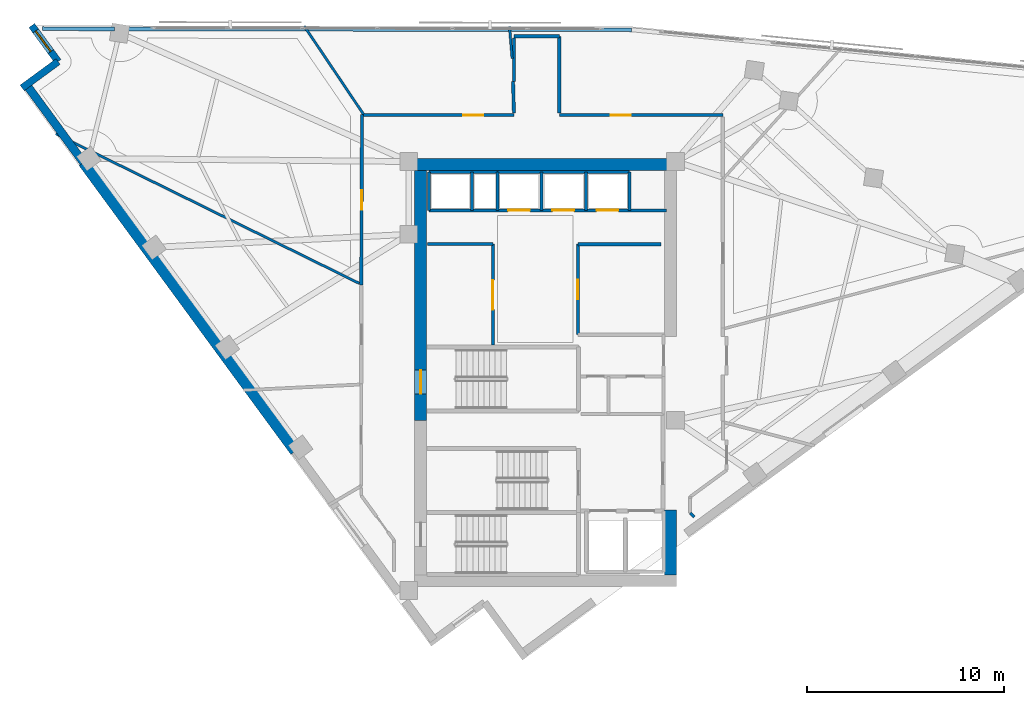
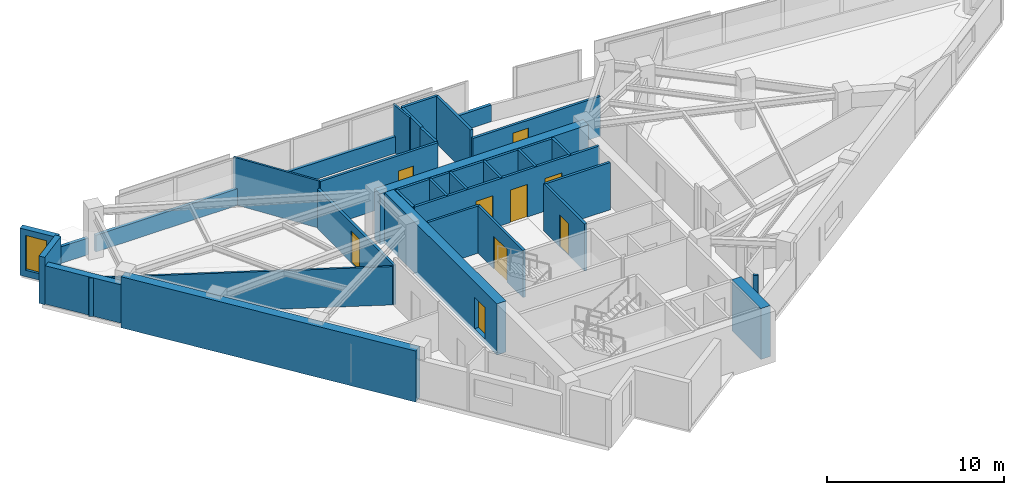
# One storey, part 9 of 13: 33 walls, 9 doors, 1 window, 10 openings.
"""IFC4 building model written with IfcOpenShell, lengths in metres."""

from ifc_helpers import new_model, si_unit, direction, frame, frame_2d, origin, place, context, subcontext, project, spatial, rectangle, extrude, material, layer, layer_set, type_object, element, fill, save


model = new_model("IFC4")

# Units and contexts
model_context = context("Model", 3, precision=1e-05, world=origin(), true_north=direction((0.0, 1.0)))
body_context = subcontext(model_context, "Body", "Model", "MODEL_VIEW")
ifc_project = project(units=[si_unit("LENGTHUNIT", "METRE"), si_unit("AREAUNIT", "SQUARE_METRE"), si_unit("VOLUMEUNIT", "CUBIC_METRE"), si_unit("PLANEANGLEUNIT", "RADIAN"), si_unit("MASSUNIT", "GRAM", prefix="KILO")], contexts=[model_context])

# Site, building, storey
site_placement = place(None, origin())
site = spatial("IfcSite", under=ifc_project, at=site_placement, CompositionType="ELEMENT")
building_placement = place(site_placement, origin())
building = spatial("IfcBuilding", under=site, at=building_placement, Name="Narakoshi Arena Tower", CompositionType="ELEMENT")
storey_placement = place(building_placement, frame((0.0, 0.0, 257.219970703125)))
storey = spatial("IfcBuildingStorey", under=building, at=storey_placement, Name="L70", CompositionType="ELEMENT", Elevation=257.219970703125)

# Wall
ifc_material_1 = material(Name="Concrete C50/60", Category="concrete")
ifc_layer_1 = layer(ifc_material_1, 0.60009765625)
ifc_layer_set_1 = layer_set([ifc_layer_1], Name="Concrete C50/60")
wall_type_1 = type_object("IfcWallType", Name="WL-CORE-600", PredefinedType="SHEAR", material=ifc_layer_set_1)
wall_1_placement = place(storey_placement, frame((85.300048828125, 35.5, -0.260009765625), z_axis=(0.0, 0.0, 1.0), x_axis=(0.0, 1.0, 0.0)))
element("IfcWall", 1, at=wall_1_placement, inside=storey, type_object=wall_type_1, Name="L70 Central Core Shear Wall CW-APX-E", PredefinedType="SHEAR", context=body_context, shape_type="SweptSolid", body=[
    extrude(rectangle(XDim=3.300048828125, YDim=0.60009765625, at=frame_2d((1.64990234375, 0.0))), origin(), (0.0, 0.0, 1.0), 3.52001953125),
])

# Wall, opening, door
wall_2_placement = place(storey_placement, frame((72.60009765625, 43.35009765625, -0.260009765625), z_axis=(0.0, 0.0, 1.0), x_axis=(0.0, 1.0, 0.0)))
wall_2 = element("IfcWall", 2, at=wall_2_placement, inside=storey, type_object=wall_type_1, Name="L70 Main Core Shear Wall CW-MN-W", PredefinedType="SHEAR", context=body_context, shape_type="SweptSolid", body=[
    extrude(rectangle(XDim=12.699951171875, YDim=0.60009765625, at=frame_2d((6.35009765625, 0.0))), origin(), (0.0, 0.0, 1.0), 3.52001953125),
])
opening_1_placement = place(wall_2_placement, frame((1.35009765625, 0.0, 0.260009765625)))
opening_1 = element("IfcOpeningElement", 3, at=opening_1_placement, cuts=wall_2, Name="Opening D-03", PredefinedType="OPENING", context=body_context, shape_type="SweptSolid", body=[
    extrude(rectangle(XDim=1.199951171875, YDim=2.199951171875, at=frame_2d((0.60009765625, 1.10009765625))), frame((0.0, 0.31005859375, 0.0), z_axis=(0.0, -1.0, 0.0), x_axis=(1.0, 0.0, 0.0)), (0.0, 0.0, 1.0), 0.6201171875),
])
ifc_material_2 = material(Name="Painted galvanized steel", Category="steel")
door_type_1 = type_object("IfcDoorType", Name="DR-STR-1200", OperationType="NOTDEFINED", PredefinedType="USERDEFINED", material=ifc_material_2)
door_1_placement = place(opening_1_placement, frame((1.199951171875, 0.0, 0.0), z_axis=(0.0, 0.0, 1.0), x_axis=(-1.0, 0.0, 0.0)))
door_1 = element("IfcDoor", 4, at=door_1_placement, inside=storey, type_object=door_type_1, Name="DR-L70-006", ObjectType="EXITDOOR", OperationType="SINGLE_SWING_LEFT", OverallHeight=2.199951171875, OverallWidth=1.199951171875, PredefinedType="USERDEFINED", context=body_context, shape_type="SweptSolid", body=[
    extrude(rectangle(XDim=1.199951171875, YDim=2.199951171875, at=frame_2d((0.60009765625, 1.10009765625))), frame((0.0, 0.02490234375, 0.0), z_axis=(0.0, -1.0, 0.0), x_axis=(1.0, 0.0, 0.0)), (0.0, 0.0, 1.0), 0.050048828125),
])
fill(opening_1, door_1)

# Wall
wall_3_placement = place(storey_placement, frame((72.0, 56.35009765625, -0.260009765625), z_axis=(0.0, 0.0, 1.0), x_axis=(1.0, 0.0, 0.0)))
element("IfcWall", 5, at=wall_3_placement, inside=storey, type_object=wall_type_1, Name="L70 Main Core Shear Wall CW-MN-N", PredefinedType="SHEAR", context=body_context, shape_type="SweptSolid", body=[
    extrude(rectangle(XDim=13.60009765625, YDim=0.60009765625, at=frame_2d((6.800048828125, 0.0))), origin(), (0.0, 0.0, 1.0), 3.52001953125),
])

# Wall, opening, door
ifc_material_3 = material(Name="Gypsum plasterboard fire-rated partition")
ifc_layer_2 = layer(ifc_material_3, 0.1650390625)
ifc_layer_set_2 = layer_set([ifc_layer_2], Name="Gypsum plasterboard fire-rated partition")
wall_type_2 = type_object("IfcWallType", Name="WL-CORR-165", PredefinedType="PARTITIONING", material=ifc_layer_set_2)
wall_4_placement = place(storey_placement, frame((87.96142578125, 58.861328125, 0.0), z_axis=(0.0, 0.0, 1.0), x_axis=(-1.0, 0.0, 0.0)))
wall_4 = element("IfcWall", 6, at=wall_4_placement, inside=storey, type_object=wall_type_2, Name="L70 Corridor Partition 06-1", PredefinedType="PARTITIONING", context=body_context, shape_type="SweptSolid", body=[
    extrude(rectangle(XDim=8.3115234375, YDim=0.1650390625, at=frame_2d((4.15576171875, 0.0))), origin(), (0.0, 0.0, 1.0), 2.7451171875),
])
opening_2_placement = place(wall_4_placement, frame((4.6923828125, 0.0, 0.0)))
opening_2 = element("IfcOpeningElement", 7, at=opening_2_placement, cuts=wall_4, Name="Opening D-06", PredefinedType="OPENING", context=body_context, shape_type="SweptSolid", body=[
    extrude(rectangle(XDim=1.0, YDim=2.199951171875, at=frame_2d((0.5, 1.10009765625))), frame((0.0, 0.092529296875, 0.0), z_axis=(0.0, -1.0, 0.0), x_axis=(1.0, 0.0, 0.0)), (0.0, 0.0, 1.0), 0.18505859375),
])
ifc_material_4 = material(Name="Stained oak solid-core timber", Category="wood")
door_type_2 = type_object("IfcDoorType", Name="DR-OFF-1000", OperationType="NOTDEFINED", PredefinedType="DOOR", material=ifc_material_4)
door_2_placement = place(opening_2_placement, frame((1.0, 0.0, 0.0), z_axis=(0.0, 0.0, 1.0), x_axis=(-1.0, 0.0, 0.0)))
door_2 = element("IfcDoor", 8, at=door_2_placement, inside=storey, type_object=door_type_2, Name="DR-L70-020", OperationType="SINGLE_SWING_LEFT", OverallHeight=2.199951171875, OverallWidth=1.0, PredefinedType="DOOR", context=body_context, shape_type="SweptSolid", body=[
    extrude(rectangle(XDim=1.0, YDim=2.199951171875, at=frame_2d((0.5, 1.10009765625))), frame((0.0, 0.02490234375, 0.0), z_axis=(0.0, -1.0, 0.0), x_axis=(1.0, 0.0, 0.0)), (0.0, 0.0, 1.0), 0.050048828125),
])
fill(opening_2, door_2)

# Walls
wall_5_placement = place(storey_placement, frame((79.64990234375, 58.955810546875, 0.0), z_axis=(0.0, 0.0, 1.0), x_axis=(0.0, 1.0, 0.0)))
element("IfcWall", 9, at=wall_5_placement, inside=storey, type_object=wall_type_2, Name="L70 Corridor Partition 06-2", PredefinedType="PARTITIONING", context=body_context, shape_type="SweptSolid", body=[
    extrude(rectangle(XDim=3.904296875, YDim=0.1650390625, at=frame_2d((1.9521484375, 0.0))), origin(), (0.0, 0.0, 1.0), 3.260009765625),
])
wall_6_placement = place(storey_placement, frame((79.64990234375, 62.860107421875, 0.0), z_axis=(0.0, 0.0, 1.0), x_axis=(-0.999998371585, 0.001804667974, 0.0)))
element("IfcWall", 10, at=wall_6_placement, inside=storey, type_object=wall_type_2, Name="L70 Corridor Partition 06-4", PredefinedType="PARTITIONING", context=body_context, shape_type="SweptSolid", body=[
    extrude(rectangle(XDim=2.2998046875, YDim=0.1650390625, at=frame_2d((1.14990234375, 0.0))), origin(), (0.0, 0.0, 1.0), 3.260009765625),
])
wall_7_placement = place(storey_placement, frame((77.35009765625, 62.769775390625, 0.0), z_axis=(0.0, 0.0, 1.0), x_axis=(0.0, -1.0, 0.0)))
element("IfcWall", 11, at=wall_7_placement, inside=storey, type_object=wall_type_2, Name="L70 Corridor Partition 06-5", PredefinedType="PARTITIONING", context=body_context, shape_type="SweptSolid", body=[
    extrude(rectangle(XDim=2.197265625, YDim=0.1650390625, at=frame_2d((1.0986328125, 0.0))), origin(), (0.0, 0.0, 1.0), 3.260009765625),
])

# Wall, opening, door
wall_8_placement = place(storey_placement, frame((77.35009765625, 58.861328125, 0.0), z_axis=(0.0, 0.0, 1.0), x_axis=(-1.0, 0.0, 0.0)))
wall_8 = element("IfcWall", 12, at=wall_8_placement, inside=storey, type_object=wall_type_2, Name="L70 Corridor Partition 07-1", PredefinedType="PARTITIONING", context=body_context, shape_type="SweptSolid", body=[
    extrude(rectangle(XDim=7.6513671875, YDim=0.1650390625, at=frame_2d((3.82568359375, 0.0))), origin(), (0.0, 0.0, 1.0), 3.260009765625),
])
opening_3_placement = place(wall_8_placement, frame((1.5751953125, 0.0, 0.0)))
opening_3 = element("IfcOpeningElement", 13, at=opening_3_placement, cuts=wall_8, Name="Opening D-06", PredefinedType="OPENING", context=body_context, shape_type="SweptSolid", body=[
    extrude(rectangle(XDim=1.0, YDim=2.199951171875, at=frame_2d((0.5, 1.10009765625))), frame((0.0, 0.092529296875, 0.0), z_axis=(0.0, -1.0, 0.0), x_axis=(1.0, 0.0, 0.0)), (0.0, 0.0, 1.0), 0.18505859375),
])
door_3_placement = place(opening_3_placement, frame((1.0, 0.0, 0.0), z_axis=(0.0, 0.0, 1.0), x_axis=(-1.0, 0.0, 0.0)))
door_3 = element("IfcDoor", 14, at=door_3_placement, inside=storey, type_object=door_type_2, Name="DR-L70-021", OperationType="SINGLE_SWING_RIGHT", OverallHeight=2.199951171875, OverallWidth=1.0, PredefinedType="DOOR", context=body_context, shape_type="SweptSolid", body=[
    extrude(rectangle(XDim=1.0, YDim=2.199951171875, at=frame_2d((0.5, 1.10009765625))), frame((0.0, 0.02490234375, 0.0), z_axis=(0.0, -1.0, 0.0), x_axis=(1.0, 0.0, 0.0)), (0.0, 0.0, 1.0), 0.050048828125),
])
fill(opening_3, door_3)

# Wall
wall_9_placement = place(storey_placement, frame((77.300537109375, 60.572509765625, 0.0), z_axis=(0.0, 0.0, 1.0), x_axis=(0.028982081969, -0.999579931233, 0.0)))
element("IfcWall", 15, at=wall_9_placement, inside=storey, type_object=wall_type_2, Name="L70 Corridor Partition 07-2", PredefinedType="PARTITIONING", context=body_context, shape_type="SweptSolid", body=[
    extrude(rectangle(XDim=1.617431640625, YDim=0.1650390625, at=frame_2d((0.80859375, 0.0))), origin(), (0.0, 0.0, 1.0), 3.260009765625),
])

# Wall, opening, door
wall_10_placement = place(storey_placement, frame((69.628173828125, 58.87890625, 0.0), z_axis=(0.0, 0.0, 1.0), x_axis=(-0.00456744982, -0.999989569147, 0.0)))
wall_10 = element("IfcWall", 16, at=wall_10_placement, inside=storey, type_object=wall_type_2, Name="L70 Corridor Partition 08-1", PredefinedType="PARTITIONING", context=body_context, shape_type="SweptSolid", body=[
    extrude(rectangle(XDim=8.6591796875, YDim=0.1650390625, at=frame_2d((4.32958984375, 0.0))), origin(), (0.0, 0.0, 1.0), 2.7451171875),
])
opening_4_placement = place(wall_10_placement, frame((3.82958984375, 0.0, 0.0)))
opening_4 = element("IfcOpeningElement", 17, at=opening_4_placement, cuts=wall_10, Name="Opening D-06", PredefinedType="OPENING", context=body_context, shape_type="SweptSolid", body=[
    extrude(rectangle(XDim=1.0, YDim=2.199951171875, at=frame_2d((0.5, 1.10009765625))), frame((0.0, 0.092529296875, 0.0), z_axis=(0.0, -1.0, 0.0), x_axis=(1.0, 0.0, 0.0)), (0.0, 0.0, 1.0), 0.18505859375),
])
door_4_placement = place(opening_4_placement, frame((1.0, 0.0, 0.0), z_axis=(0.0, 0.0, 1.0), x_axis=(-1.0, 0.0, 0.0)))
door_4 = element("IfcDoor", 18, at=door_4_placement, inside=storey, type_object=door_type_2, Name="DR-L70-022", OperationType="SINGLE_SWING_LEFT", OverallHeight=2.199951171875, OverallWidth=1.0, PredefinedType="DOOR", context=body_context, shape_type="SweptSolid", body=[
    extrude(rectangle(XDim=1.0, YDim=2.199951171875, at=frame_2d((0.5, 1.10009765625))), frame((0.0, 0.02490234375, 0.0), z_axis=(0.0, -1.0, 0.0), x_axis=(1.0, 0.0, 0.0)), (0.0, 0.0, 1.0), 0.050048828125),
])
fill(opening_4, door_4)

# Walls
ifc_layer_3 = layer(ifc_material_1, 0.550048828125)
ifc_layer_set_3 = layer_set([ifc_layer_3], Name="Concrete C50/60")
wall_type_3 = type_object("IfcWallType", Name="WL-LEG-550", PredefinedType="SHEAR", material=ifc_layer_set_3)
wall_11_placement = place(storey_placement, frame((55.47509765625, 56.450439453125, -0.260009765625), z_axis=(0.0, 0.0, 1.0), x_axis=(0.591309555876, -0.806444672082, 0.0)))
element("IfcWall", 19, at=wall_11_placement, inside=storey, type_object=wall_type_3, Name="L70 Architectural Concrete Structural Wall LEGB-2", PredefinedType="SHEAR", context=body_context, shape_type="SweptSolid", body=[
    extrude(rectangle(XDim=18.1923828125, YDim=0.550048828125, at=frame_2d((9.09619140625, 0.0))), origin(), (0.0, 0.0, 1.0), 3.52001953125),
])
ifc_material_5 = material(Name="Precast concrete C45/55", Category="concrete")
ifc_layer_4 = layer(ifc_material_5, 0.25)
ifc_layer_set_4 = layer_set([ifc_layer_4], Name="Precast concrete C45/55")
wall_type_4 = type_object("IfcWallType", Name="WL-PARA-250", PredefinedType="PARAPET", material=ifc_layer_set_4)
wall_12_placement = place(storey_placement, frame((83.332275390625, 63.193359375, 0.0), z_axis=(0.0, 0.0, 1.0), x_axis=(-0.999998363757, 0.001809000383, 0.0)))
element("IfcWall", 20, at=wall_12_placement, inside=storey, type_object=wall_type_4, Name="L70 Hypotenuse Sill Upstand Parapet 2-01", PredefinedType="PARAPET", context=body_context, shape_type="SweptSolid", body=[
    extrude(rectangle(XDim=25.777099609375, YDim=0.199951171875, at=frame_2d((12.888671875, 0.0))), origin(), (0.0, 0.0, 1.0), 1.150146484375),
])
wall_13_placement = place(storey_placement, frame((57.064208984375, 63.240966796875, 0.0), z_axis=(0.0, 0.0, 1.0), x_axis=(-0.999998274159, 0.001857869529, 0.0)))
element("IfcWall", 21, at=wall_13_placement, inside=storey, type_object=wall_type_4, Name="L70 Hypotenuse Sill Upstand Parapet 2-02", PredefinedType="PARAPET", context=body_context, shape_type="SweptSolid", body=[
    extrude(rectangle(XDim=3.679443359375, YDim=0.199951171875, at=frame_2d((1.83984375, 0.0))), origin(), (0.0, 0.0, 1.0), 1.150146484375),
])
ifc_layer_5 = layer(ifc_material_3, 0.125)
ifc_layer_set_5 = layer_set([ifc_layer_5], Name="Gypsum plasterboard fire-rated partition")
wall_type_5 = type_object("IfcWallType", Name="WL-PART-125", PredefinedType="PARTITIONING", material=ifc_layer_set_5)
wall_14_placement = place(storey_placement, frame((77.255615234375, 61.726806640625, 0.0), z_axis=(0.0, 0.0, 1.0), x_axis=(-0.081717433779, 0.996655537795, 0.0)))
element("IfcWall", 22, at=wall_14_placement, inside=storey, type_object=wall_type_5, Name="L70 Inter-Room Partition 06-07", PredefinedType="PARTITIONING", context=body_context, shape_type="SweptSolid", body=[
    extrude(rectangle(XDim=1.643310546875, YDim=0.125, at=frame_2d((0.82177734375, 0.0))), origin(), (0.0, 0.0, 1.0), 3.260009765625),
])
wall_15_placement = place(storey_placement, frame((69.69873046875, 58.907470703125, 0.0), z_axis=(0.0, 0.0, 1.0), x_axis=(-0.557996514908, 0.829843292044, 0.0)))
element("IfcWall", 23, at=wall_15_placement, inside=storey, type_object=wall_type_5, Name="L70 Inter-Room Partition 07-08", PredefinedType="PARTITIONING", context=body_context, shape_type="SweptSolid", body=[
    extrude(rectangle(XDim=5.393798828125, YDim=0.125, at=frame_2d((2.69677734375, 0.0))), origin(), (0.0, 0.0, 1.0), 3.260009765625),
])
wall_16_placement = place(storey_placement, frame((69.494384765625, 50.306396484375, 0.0), z_axis=(0.0, 0.0, 1.0), x_axis=(-0.897066104393, 0.441896372862, 0.0)))
element("IfcWall", 24, at=wall_16_placement, inside=storey, type_object=wall_type_5, Name="L70 Inter-Room Partition 08-09", PredefinedType="PARTITIONING", context=body_context, shape_type="SweptSolid", body=[
    extrude(rectangle(XDim=17.19775390625, YDim=0.125, at=frame_2d((8.598876953125, 0.0))), origin(), (0.0, 0.0, 1.0), 2.64501953125),
])
ifc_layer_6 = layer(ifc_material_5, 0.419921875)
ifc_layer_set_6 = layer_set([ifc_layer_6], Name="Precast concrete C45/55")
wall_type_6 = type_object("IfcWallType", Name="WL-POD-420", PredefinedType="SOLIDWALL", material=ifc_layer_set_6)
wall_17_placement = place(storey_placement, frame((52.578857421875, 60.400390625, 0.0), z_axis=(0.0, 0.0, 1.0), x_axis=(0.591311800505, -0.806443026248, 0.0)))
element("IfcWall", 25, at=wall_17_placement, inside=storey, type_object=wall_type_6, Name="L70 Architectural Concrete Facade Wall LEGB-1", PredefinedType="SOLIDWALL", context=body_context, shape_type="SweptSolid", body=[
    extrude(rectangle(XDim=4.89794921875, YDim=0.419921875, at=frame_2d((2.448974609375, 0.0))), origin(), (0.0, 0.0, 1.0), 2.64501953125),
])

# Wall, opening, window
wall_18_placement = place(storey_placement, frame((52.84521484375, 63.40869140625, 0.0), z_axis=(0.0, 0.0, 1.0), x_axis=(0.591251685745, -0.806487101015, 0.0)))
wall_18 = element("IfcWall", 26, at=wall_18_placement, inside=storey, type_object=wall_type_6, Name="L70 Re-Entrant Corner Notch Wall NTN-1", PredefinedType="SOLIDWALL", context=body_context, shape_type="SweptSolid", body=[
    extrude(rectangle(XDim=2.2685546875, YDim=0.360107421875, at=frame_2d((1.13427734375, 0.0))), origin(), (0.0, 0.0, 1.0), 3.260009765625),
])
opening_5_placement = place(wall_18_placement, frame((0.340087890625, 0.0, 0.449951171875)))
opening_5 = element("IfcOpeningElement", 27, at=opening_5_placement, cuts=wall_18, Name="Opening WN-06", PredefinedType="OPENING", context=body_context, shape_type="SweptSolid", body=[
    extrude(rectangle(XDim=1.300048828125, YDim=2.39990234375, at=frame_2d((0.64990234375, 1.199951171875))), frame((0.0, 0.18994140625, 0.0), z_axis=(0.0, -1.0, 0.0), x_axis=(1.0, 0.0, 0.0)), (0.0, 0.0, 1.0), 0.380126953125),
])
ifc_material_6 = material(Name="Bronze-tinted low-E laminated glass", Category="glass")
window_type = type_object("IfcWindowType", Name="WIN-NTC-16x24", PartitioningType="SINGLE_PANEL", PredefinedType="WINDOW", material=ifc_material_6)
window_placement = place(opening_5_placement, origin())
window = element("IfcWindow", 28, at=window_placement, inside=storey, type_object=window_type, Name="L70 Corner Notch Window NTN", OverallHeight=2.39990234375, OverallWidth=1.300048828125, PartitioningType="SINGLE_PANEL", PredefinedType="WINDOW", context=body_context, shape_type="SweptSolid", body=[
    extrude(rectangle(XDim=1.300048828125, YDim=2.39990234375, at=frame_2d((0.64990234375, 1.199951171875))), frame((0.0, 0.030029296875, 0.0), z_axis=(0.0, -1.0, 0.0), x_axis=(1.0, 0.0, 0.0)), (0.0, 0.0, 1.0), 0.06005859375),
])
fill(opening_5, window)

# Walls
wall_19_placement = place(storey_placement, frame((54.1865234375, 61.5791015625, 0.0), z_axis=(0.0, 0.0, 1.0), x_axis=(-0.806449475274, -0.591303005092, 0.0)))
element("IfcWall", 29, at=wall_19_placement, inside=storey, type_object=wall_type_6, Name="L70 Re-Entrant Corner Notch Wall NTN-2", PredefinedType="SOLIDWALL", context=body_context, shape_type="SweptSolid", body=[
    extrude(rectangle(XDim=2.268310546875, YDim=0.360107421875, at=frame_2d((1.13427734375, 0.0))), origin(), (0.0, 0.0, 1.0), 3.260009765625),
])
ifc_material_7 = material(Name="Concrete C40/50", Category="concrete")
ifc_layer_7 = layer(ifc_material_7, 0.280029296875)
ifc_layer_set_7 = layer_set([ifc_layer_7], Name="Concrete C40/50")
wall_type_7 = type_object("IfcWallType", Name="WL-RISER-280", PredefinedType="PLUMBINGWALL", material=ifc_layer_set_7)
for number, where, z_axis, x_axis, name in (
    (30, (73.02001953125, 54.02001953125, 0.0), (0.0, 0.0, 1.0), (0.0, 1.0, 0.0), "L70 Core Wall OBS-W"),
    (31, (75.219970703125, 54.02001953125, 0.0), (0.0, 0.0, 1.0), (0.0, 1.0, 0.0), "L70 Core Wall OBS-M"),
):
    element("IfcWall", number, at=place(storey_placement, frame(where, z_axis=z_axis, x_axis=x_axis)), inside=storey, type_object=wall_type_7, Name=name, PredefinedType="PLUMBINGWALL", context=body_context, shape_type="SweptSolid", body=[
        extrude(rectangle(XDim=1.93994140625, YDim=0.14990234375, at=frame_2d((0.969970703125, 0.0))), origin(), (0.0, 0.0, 1.0), 3.260009765625),
    ])
for number, where, z_axis, x_axis, name in (
    (32, (78.75, 54.02001953125, 0.0), (0.0, 0.0, 1.0), (0.0, 1.0, 0.0), "L70 Core Wall HR-D1"),
    (33, (81.0, 54.02001953125, 0.0), (0.0, 0.0, 1.0), (0.0, 1.0, 0.0), "L70 Core Wall HR-D2"),
):
    element("IfcWall", number, at=place(storey_placement, frame(where, z_axis=z_axis, x_axis=x_axis)), inside=storey, type_object=wall_type_7, Name=name, PredefinedType="PLUMBINGWALL", context=body_context, shape_type="SweptSolid", body=[
        extrude(rectangle(XDim=1.9599609375, YDim=0.14990234375, at=frame_2d((0.97998046875, 0.0))), origin(), (0.0, 0.0, 1.0), 3.260009765625),
    ])

# Wall, opening, door
ifc_layer_8 = layer(ifc_material_1, 0.35009765625)
ifc_layer_set_8 = layer_set([ifc_layer_8], Name="Concrete C50/60")
wall_type_8 = type_object("IfcWallType", Name="WL-SHAFT-350", PredefinedType="SOLIDWALL", material=ifc_layer_set_8)
wall_20_placement = place(storey_placement, frame((76.280029296875, 47.179931640625, 0.0), z_axis=(0.0, 0.0, 1.0), x_axis=(0.0, 1.0, 0.0)))
wall_20 = element("IfcWall", 34, at=wall_20_placement, inside=storey, type_object=wall_type_8, Name="L70 Core Wall LR-E", PredefinedType="SOLIDWALL", context=body_context, shape_type="SweptSolid", body=[
    extrude(rectangle(XDim=5.14013671875, YDim=0.159912109375, at=frame_2d((2.570068359375, 0.0))), origin(), (0.0, 0.0, 1.0), 3.260009765625),
])
opening_6_placement = place(wall_20_placement, frame((1.800048828125, 0.0, 0.0)))
opening_6 = element("IfcOpeningElement", 35, at=opening_6_placement, cuts=wall_20, Name="Opening D-09", PredefinedType="OPENING", context=body_context, shape_type="SweptSolid", body=[
    extrude(rectangle(XDim=1.5, YDim=2.25, at=frame_2d((0.75, 1.125))), frame((0.0, 0.08984375, 0.0), z_axis=(0.0, -1.0, 0.0), x_axis=(1.0, 0.0, 0.0)), (0.0, 0.0, 1.0), 0.179931640625),
])
door_type_3 = type_object("IfcDoorType", Name="DR-PLT-1500", OperationType="DOUBLE_DOOR_SINGLE_SWING", PredefinedType="DOOR", material=ifc_material_2)
door_5_placement = place(opening_6_placement, frame((1.5, 0.0, 0.0), z_axis=(0.0, 0.0, 1.0), x_axis=(-1.0, 0.0, 0.0)))
door_5 = element("IfcDoor", 36, at=door_5_placement, inside=storey, type_object=door_type_3, Name="DR-L70-010", OperationType="DOUBLE_DOOR_SINGLE_SWING", OverallHeight=2.25, OverallWidth=1.5, PredefinedType="DOOR", context=body_context, shape_type="SweptSolid", body=[
    extrude(rectangle(XDim=1.5, YDim=2.25, at=frame_2d((0.75, 1.125))), frame((0.0, 0.02490234375, 0.0), z_axis=(0.0, -1.0, 0.0), x_axis=(1.0, 0.0, 0.0)), (0.0, 0.0, 1.0), 0.050048828125),
])
fill(opening_6, door_5)

# Wall
wall_21_placement = place(storey_placement, frame((72.949951171875, 52.320068359375, 0.0), z_axis=(0.0, 0.0, 1.0), x_axis=(1.0, 0.0, 0.0)))
element("IfcWall", 37, at=wall_21_placement, inside=storey, type_object=wall_type_8, Name="L70 Core Wall LR-N", PredefinedType="SOLIDWALL", context=body_context, shape_type="SweptSolid", body=[
    extrude(rectangle(XDim=3.330078125, YDim=0.14990234375, at=frame_2d((1.6650390625, 0.0))), origin(), (0.0, 0.0, 1.0), 3.260009765625),
])

# Wall, opening, door
wall_22_placement = place(storey_placement, frame((80.60009765625, 47.699951171875, 0.0), z_axis=(0.0, 0.0, 1.0), x_axis=(0.0, 1.0, 0.0)))
wall_22 = element("IfcWall", 38, at=wall_22_placement, inside=storey, type_object=wall_type_8, Name="L70 Core Wall MR-W", PredefinedType="SOLIDWALL", context=body_context, shape_type="SweptSolid", body=[
    extrude(rectangle(XDim=4.60009765625, YDim=0.159912109375, at=frame_2d((2.300048828125, 0.0))), origin(), (0.0, 0.0, 1.0), 3.260009765625),
])
opening_7_placement = place(wall_22_placement, frame((1.800048828125, 0.0, 0.0)))
opening_7 = element("IfcOpeningElement", 39, at=opening_7_placement, cuts=wall_22, Name="Opening D-06", PredefinedType="OPENING", context=body_context, shape_type="SweptSolid", body=[
    extrude(rectangle(XDim=1.0, YDim=2.199951171875, at=frame_2d((0.5, 1.10009765625))), frame((0.0, 0.08984375, 0.0), z_axis=(0.0, -1.0, 0.0), x_axis=(1.0, 0.0, 0.0)), (0.0, 0.0, 1.0), 0.179931640625),
])
door_6_placement = place(opening_7_placement, origin())
door_6 = element("IfcDoor", 40, at=door_6_placement, inside=storey, type_object=door_type_2, Name="DR-L70-011", OperationType="SINGLE_SWING_LEFT", OverallHeight=2.199951171875, OverallWidth=1.0, PredefinedType="DOOR", context=body_context, shape_type="SweptSolid", body=[
    extrude(rectangle(XDim=1.0, YDim=2.199951171875, at=frame_2d((0.5, 1.10009765625))), frame((0.0, 0.02490234375, 0.0), z_axis=(0.0, -1.0, 0.0), x_axis=(1.0, 0.0, 0.0)), (0.0, 0.0, 1.0), 0.050048828125),
])
fill(opening_7, door_6)

# Wall
wall_23_placement = place(storey_placement, frame((80.60009765625, 52.300048828125, 0.0), z_axis=(0.0, 0.0, 1.0), x_axis=(1.0, 0.0, 0.0)))
element("IfcWall", 41, at=wall_23_placement, inside=storey, type_object=wall_type_8, Name="L70 Core Wall MR-N", PredefinedType="SOLIDWALL", context=body_context, shape_type="SweptSolid", body=[
    extrude(rectangle(XDim=4.219970703125, YDim=0.159912109375, at=frame_2d((2.10986328125, 0.0))), origin(), (0.0, 0.0, 1.0), 3.260009765625),
])

# Wall, openings, doors
wall_24_placement = place(storey_placement, frame((73.02001953125, 54.02001953125, 0.0), z_axis=(0.0, 0.0, 1.0), x_axis=(1.0, 0.0, 0.0)))
wall_24 = element("IfcWall", 42, at=wall_24_placement, inside=storey, type_object=wall_type_8, Name="L70 Core Wall NSHF-S", PredefinedType="SOLIDWALL", context=body_context, shape_type="SweptSolid", body=[
    extrude(rectangle(XDim=12.080078125, YDim=0.159912109375, at=frame_2d((6.0400390625, 0.0))), origin(), (0.0, 0.0, 1.0), 3.260009765625),
])
opening_8_placement = place(wall_24_placement, frame((4.030029296875, 0.0, 0.0)))
opening_8 = element("IfcOpeningElement", 43, at=opening_8_placement, cuts=wall_24, Name="Opening LD-01", PredefinedType="OPENING", context=body_context, shape_type="SweptSolid", body=[
    extrude(rectangle(XDim=1.10009765625, YDim=2.25, at=frame_2d((0.550048828125, 1.125))), frame((0.0, 0.08984375, 0.0), z_axis=(0.0, -1.0, 0.0), x_axis=(1.0, 0.0, 0.0)), (0.0, 0.0, 1.0), 0.179931640625),
])
opening_9_placement = place(wall_24_placement, frame((6.280029296875, 0.0, 0.0)))
opening_9 = element("IfcOpeningElement", 44, at=opening_9_placement, cuts=wall_24, Name="Opening LD-01", PredefinedType="OPENING", context=body_context, shape_type="SweptSolid", body=[
    extrude(rectangle(XDim=1.10009765625, YDim=2.25, at=frame_2d((0.550048828125, 1.125))), frame((0.0, 0.08984375, 0.0), z_axis=(0.0, -1.0, 0.0), x_axis=(1.0, 0.0, 0.0)), (0.0, 0.0, 1.0), 0.179931640625),
])
opening_10_placement = place(wall_24_placement, frame((8.530029296875, 0.0, 0.0)))
opening_10 = element("IfcOpeningElement", 45, at=opening_10_placement, cuts=wall_24, Name="Opening LD-01", PredefinedType="OPENING", context=body_context, shape_type="SweptSolid", body=[
    extrude(rectangle(XDim=1.10009765625, YDim=2.25, at=frame_2d((0.550048828125, 1.125))), frame((0.0, 0.08984375, 0.0), z_axis=(0.0, -1.0, 0.0), x_axis=(1.0, 0.0, 0.0)), (0.0, 0.0, 1.0), 0.179931640625),
])
ifc_material_8 = material(Name="Brushed bronze stainless steel", Category="steel")
door_type_4 = type_object("IfcDoorType", Name="DR-LFT-1100", OperationType="DOUBLE_DOOR_SLIDING", PredefinedType="DOOR", material=ifc_material_8)
door_7_placement = place(opening_8_placement, origin())
door_7 = element("IfcDoor", 46, at=door_7_placement, inside=storey, type_object=door_type_4, Name="DR-L70-012", OperationType="DOUBLE_DOOR_SLIDING", OverallHeight=2.25, OverallWidth=1.10009765625, PredefinedType="DOOR", context=body_context, shape_type="SweptSolid", body=[
    extrude(rectangle(XDim=1.10009765625, YDim=2.25, at=frame_2d((0.550048828125, 1.125))), frame((0.0, 0.02490234375, 0.0), z_axis=(0.0, -1.0, 0.0), x_axis=(1.0, 0.0, 0.0)), (0.0, 0.0, 1.0), 0.050048828125),
])
fill(opening_8, door_7)
door_8_placement = place(opening_9_placement, origin())
door_8 = element("IfcDoor", 47, at=door_8_placement, inside=storey, type_object=door_type_4, Name="DR-L70-013", OperationType="DOUBLE_DOOR_SLIDING", OverallHeight=2.25, OverallWidth=1.10009765625, PredefinedType="DOOR", context=body_context, shape_type="SweptSolid", body=[
    extrude(rectangle(XDim=1.10009765625, YDim=2.25, at=frame_2d((0.550048828125, 1.125))), frame((0.0, 0.02490234375, 0.0), z_axis=(0.0, -1.0, 0.0), x_axis=(1.0, 0.0, 0.0)), (0.0, 0.0, 1.0), 0.050048828125),
])
fill(opening_9, door_8)
door_9_placement = place(opening_10_placement, origin())
door_9 = element("IfcDoor", 48, at=door_9_placement, inside=storey, type_object=door_type_4, Name="DR-L70-014", OperationType="DOUBLE_DOOR_SLIDING", OverallHeight=2.25, OverallWidth=1.10009765625, PredefinedType="DOOR", context=body_context, shape_type="SweptSolid", body=[
    extrude(rectangle(XDim=1.10009765625, YDim=2.25, at=frame_2d((0.550048828125, 1.125))), frame((0.0, 0.02490234375, 0.0), z_axis=(0.0, -1.0, 0.0), x_axis=(1.0, 0.0, 0.0)), (0.0, 0.0, 1.0), 0.050048828125),
])
fill(opening_10, door_9)

# Walls
wall_25_placement = place(storey_placement, frame((73.02001953125, 55.9599609375, 0.0), z_axis=(0.0, 0.0, 1.0), x_axis=(1.0, 0.0, 0.0)))
element("IfcWall", 49, at=wall_25_placement, inside=storey, type_object=wall_type_8, Name="L70 Core Wall OBS-N", PredefinedType="SOLIDWALL", context=body_context, shape_type="SweptSolid", body=[
    extrude(rectangle(XDim=3.5, YDim=0.14990234375, at=frame_2d((1.75, 0.0))), origin(), (0.0, 0.0, 1.0), 3.260009765625),
])
wall_26_placement = place(storey_placement, frame((76.52001953125, 54.02001953125, 0.0), z_axis=(0.0, 0.0, 1.0), x_axis=(0.0, 1.0, 0.0)))
element("IfcWall", 50, at=wall_26_placement, inside=storey, type_object=wall_type_8, Name="L70 Core Wall OBS-E", PredefinedType="SOLIDWALL", context=body_context, shape_type="SweptSolid", body=[
    extrude(rectangle(XDim=1.93994140625, YDim=0.14990234375, at=frame_2d((0.969970703125, 0.0))), origin(), (0.0, 0.0, 1.0), 3.260009765625),
])
wall_27_placement = place(storey_placement, frame((83.219970703125, 54.02001953125, 0.0), z_axis=(0.0, 0.0, 1.0), x_axis=(0.0, 1.0, 0.0)))
element("IfcWall", 51, at=wall_27_placement, inside=storey, type_object=wall_type_8, Name="L70 Core Wall HR-E", PredefinedType="SOLIDWALL", context=body_context, shape_type="SweptSolid", body=[
    extrude(rectangle(XDim=1.9599609375, YDim=0.14990234375, at=frame_2d((0.97998046875, 0.0))), origin(), (0.0, 0.0, 1.0), 3.260009765625),
])
wall_28_placement = place(storey_placement, frame((76.52001953125, 55.9599609375, 0.0), z_axis=(0.0, 0.0, 1.0), x_axis=(1.0, 0.0, 0.0)))
element("IfcWall", 52, at=wall_28_placement, inside=storey, type_object=wall_type_8, Name="L70 Core Wall HR-N", PredefinedType="SOLIDWALL", context=body_context, shape_type="SweptSolid", body=[
    extrude(rectangle(XDim=6.699951171875, YDim=0.14990234375, at=frame_2d((3.35009765625, 0.0))), origin(), (0.0, 0.0, 1.0), 3.260009765625),
])
ifc_material_9 = material(Name="Moisture-resistant cement-board partition")
ifc_layer_9 = layer(ifc_material_9, 0.14501953125)
ifc_layer_set_9 = layer_set([ifc_layer_9], Name="Moisture-resistant cement-board partition")
wall_type_9 = type_object("IfcWallType", Name="WL-WET-145", PredefinedType="PARTITIONING", material=ifc_layer_set_9)
wall_29_placement = place(storey_placement, frame((86.509765625, 38.444091796875, 0.0), z_axis=(0.0, 0.0, 1.0), x_axis=(-0.732216394955, 0.681072060034, 0.0)))
element("IfcWall", 53, at=wall_29_placement, inside=storey, type_object=wall_type_9, Name="L70 Room Enclosure Partition 03-1", PredefinedType="PARTITIONING", context=body_context, shape_type="SweptSolid", body=[
    extrude(rectangle(XDim=0.286376953125, YDim=0.14501953125, at=frame_2d((0.14306640625, 0.0))), origin(), (0.0, 0.0, 1.0), 3.260009765625),
])

save(model, "model.ifc")
